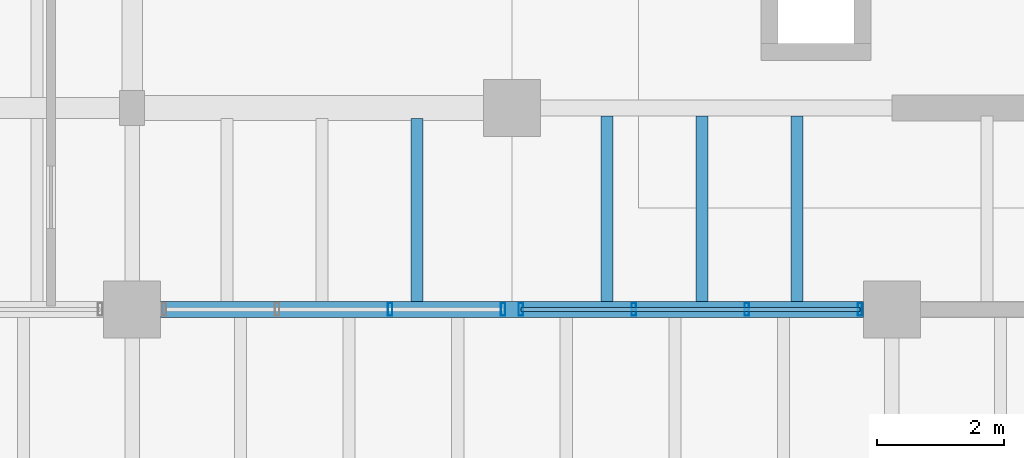
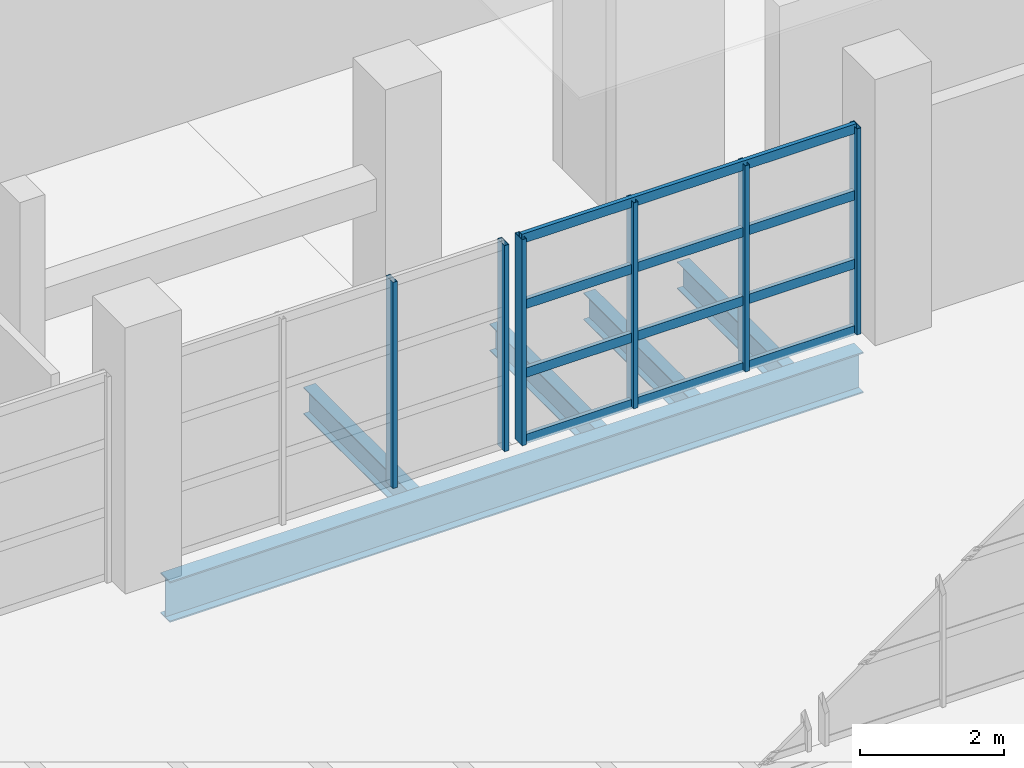
# One storey, part 56 of 114: 10 members, 5 beams, 2 elements without a shape of their own.
"""IFC4 building model written with IfcOpenShell, lengths in metres."""

from ifc_helpers import new_model, si_unit, direction, frame, origin, origin_2d, place, context, subcontext, project, spatial, hollow_rectangle, i_section, extrude, material, material_profile, profile_set, type_object, element, aggregate, save


model = new_model("IFC4")

# Units and contexts
model_context = context("Model", 3, precision=1e-05, world=origin(), true_north=direction((0.0, 1.0)))
body_context = subcontext(model_context, "Body", "Model", "MODEL_VIEW")
ifc_project = project(units=[si_unit("LENGTHUNIT", "METRE"), si_unit("AREAUNIT", "SQUARE_METRE"), si_unit("VOLUMEUNIT", "CUBIC_METRE"), si_unit("PLANEANGLEUNIT", "RADIAN"), si_unit("MASSUNIT", "GRAM", prefix="KILO")], contexts=[model_context])

# Site, building, storey
site_placement = place(None, origin())
site = spatial("IfcSite", under=ifc_project, at=site_placement, CompositionType="ELEMENT")
building_placement = place(site_placement, origin())
building = spatial("IfcBuilding", under=site, at=building_placement, Name="Kelmvaro Bay Concert Hall", CompositionType="ELEMENT")
storey_placement = place(building_placement, frame((0.0, 0.0, 4.800048828125)))
storey = spatial("IfcBuildingStorey", under=building, at=storey_placement, Name="L01", CompositionType="ELEMENT", Elevation=4.800048828125)

# Beams
ifc_material_1 = material(Name="Steel ASTM A992 Grade 50", Category="steel")
ifc_material_profile_1 = material_profile(ifc_material_1, i_section(OverallWidth=0.256103515625, OverallDepth=0.693115234375, WebThickness=0.014404296875, FlangeThickness=0.023681640625, at=origin_2d()), Name="W27X114")
ifc_profile_set_1 = profile_set([ifc_material_profile_1], Name="Steel ASTM A992 Grade 50")
beam_type_1 = type_object("IfcBeamType", Name="Foyer Primary Girder W27x114", PredefinedType="BEAM", material=ifc_profile_set_1)
beam_1_placement = place(storey_placement, frame((12.449951171875, 65.39990234375, -0.646484375), z_axis=(1.0, 0.0, 0.0), x_axis=(0.0, 1.0, 0.0)))
element("IfcBeam", 1, at=beam_1_placement, inside=storey, type_object=beam_type_1, Name="L01 Girder BM-L01-EW-0073", PredefinedType="BEAM", context=body_context, shape_type="SweptSolid", body=[
    extrude(i_section(OverallWidth=0.256103515625, OverallDepth=0.693115234375, WebThickness=0.014404296875, FlangeThickness=0.023681640625, at=origin_2d()), origin(), (0.0, 0.0, 1.0), 11.10009765625),
])
ifc_material_2 = material(Name="Steel ASTM A992 Grade 50", Category="steel")
ifc_material_profile_2 = material_profile(ifc_material_2, i_section(OverallWidth=0.19091796875, OverallDepth=0.45703125, WebThickness=0.009033203125, FlangeThickness=0.014404296875, at=origin_2d()), Name="W18X50")
ifc_profile_set_2 = profile_set([ifc_material_profile_2], Name="Steel ASTM A992 Grade 50")
beam_type_2 = type_object("IfcBeamType", Name="Standard Composite Floor Joist W18x50", PredefinedType="JOIST", material=ifc_profile_set_2)
beam_2_placement = place(storey_placement, frame((16.5, 65.528076171875, -0.528564453125), z_axis=(0.0, 1.0, 0.0), x_axis=(-1.0, 0.0, 0.0)))
element("IfcBeam", 2, at=beam_2_placement, inside=storey, type_object=beam_type_2, Name="L01 Floor Joist JST-L01-0552", PredefinedType="JOIST", context=body_context, shape_type="SweptSolid", body=[
    extrude(i_section(OverallWidth=0.19091796875, OverallDepth=0.45703125, WebThickness=0.009033203125, FlangeThickness=0.014404296875, at=origin_2d()), origin(), (0.0, 0.0, 1.0), 2.889892578125),
])
for number, where, z_axis, x_axis, name in (
    (3, (19.5, 65.528076171875, -0.528564453125), (0.0, 1.0, 0.0), (-1.0, 0.0, 0.0), "L01 Floor Joist JST-L01-0553"),
    (4, (21.0, 65.528076171875, -0.528564453125), (0.0, 1.0, 0.0), (-1.0, 0.0, 0.0), "L01 Floor Joist JST-L01-0554"),
    (5, (22.5, 65.528076171875, -0.528564453125), (0.0, 1.0, 0.0), (-1.0, 0.0, 0.0), "L01 Floor Joist JST-L01-0555"),
):
    element("IfcBeam", number, at=place(storey_placement, frame(where, z_axis=z_axis, x_axis=x_axis)), inside=storey, type_object=beam_type_2, Name=name, PredefinedType="JOIST", context=body_context, shape_type="SweptSolid", body=[
        extrude(i_section(OverallWidth=0.19091796875, OverallDepth=0.45703125, WebThickness=0.009033203125, FlangeThickness=0.014404296875, at=origin_2d()), origin(), (0.0, 0.0, 1.0), 2.923828125),
    ])

# Curtain wall, members
ifc_material_3 = material(Name="Anodised Aluminium and Low-E Insulated Glazing", Category="aluminium")
curtain_wall_type = type_object("IfcCurtainWallType", Name="Symphony South Gallery Curtain Wall 3920", PredefinedType="USERDEFINED", material=ifc_material_3)
curtain_wall_1_placement = place(storey_placement, origin())
curtain_wall_1 = element("IfcCurtainWall", 6, at=curtain_wall_1_placement, inside=storey, type_object=curtain_wall_type, Name="Unitised Curtain Wall CW-L01-003", ObjectType="UNITISED GLAZING", PredefinedType="USERDEFINED")
ifc_material_4 = material(Name="Anodised Extruded Aluminium 6063-T6", Category="aluminium")
ifc_material_profile_3 = material_profile(ifc_material_4, hollow_rectangle(XDim=0.070068359375, YDim=0.199951171875, WallThickness=0.00439453125, at=origin_2d()), Name="ALU-MUL-200X70")
ifc_profile_set_3 = profile_set([ifc_material_profile_3], Name="Anodised Extruded Aluminium 6063-T6")
member_type_1 = type_object("IfcMemberType", Name="Waterfront Mullion ALU 200x70", PredefinedType="MULLION", material=ifc_profile_set_3)
member_1_placement = place(storey_placement, frame((17.860107421875, 65.39990234375, 0.0), z_axis=(0.0, 0.0, 1.0), x_axis=(1.0, 0.0, 0.0)))
member_1 = element("IfcMember", 7, at=member_1_placement, type_object=member_type_1, Name="CW-L01-003 Mullion 01", PredefinedType="MULLION", context=body_context, shape_type="SweptSolid", body=[
    extrude(hollow_rectangle(XDim=0.070068359375, YDim=0.199951171875, WallThickness=0.00439453125, at=origin_2d()), origin(), (0.0, 0.0, 1.0), 3.487060546875),
])
member_2_placement = place(storey_placement, frame((16.074951171875, 65.39990234375, 0.0), z_axis=(0.0, 0.0, 1.0), x_axis=(1.0, 0.0, 0.0)))
member_2 = element("IfcMember", 8, at=member_2_placement, type_object=member_type_1, Name="CW-L01-003 Mullion 02", PredefinedType="MULLION", context=body_context, shape_type="SweptSolid", body=[
    extrude(hollow_rectangle(XDim=0.070068359375, YDim=0.199951171875, WallThickness=0.00439453125, at=origin_2d()), origin(), (0.0, 0.0, 1.0), 3.487060546875),
])
aggregate(curtain_wall_1, [member_1, member_2])

curtain_wall_2_placement = place(storey_placement, origin())
curtain_wall_2 = element("IfcCurtainWall", 9, at=curtain_wall_2_placement, inside=storey, type_object=curtain_wall_type, Name="Unitised Curtain Wall CW-L01-004", ObjectType="UNITISED GLAZING", PredefinedType="USERDEFINED")
member_3_placement = place(storey_placement, frame((23.4951171875, 65.39990234375, 0.0), z_axis=(0.0, 0.0, 1.0), x_axis=(1.0, 0.0, 0.0)))
member_3 = element("IfcMember", 10, at=member_3_placement, type_object=member_type_1, Name="CW-L01-004 Mullion 01", PredefinedType="MULLION", context=body_context, shape_type="SweptSolid", body=[
    extrude(hollow_rectangle(XDim=0.070068359375, YDim=0.199951171875, WallThickness=0.00439453125, at=origin_2d()), origin(), (0.0, 0.0, 1.0), 3.487060546875),
])
member_4_placement = place(storey_placement, frame((21.7099609375, 65.39990234375, 0.0), z_axis=(0.0, 0.0, 1.0), x_axis=(1.0, 0.0, 0.0)))
member_4 = element("IfcMember", 11, at=member_4_placement, type_object=member_type_1, Name="CW-L01-004 Mullion 02", PredefinedType="MULLION", context=body_context, shape_type="SweptSolid", body=[
    extrude(hollow_rectangle(XDim=0.070068359375, YDim=0.199951171875, WallThickness=0.00439453125, at=origin_2d()), origin(), (0.0, 0.0, 1.0), 3.487060546875),
])
member_5_placement = place(storey_placement, frame((19.925048828125, 65.39990234375, 0.0), z_axis=(0.0, 0.0, 1.0), x_axis=(1.0, 0.0, 0.0)))
member_5 = element("IfcMember", 12, at=member_5_placement, type_object=member_type_1, Name="CW-L01-004 Mullion 03", PredefinedType="MULLION", context=body_context, shape_type="SweptSolid", body=[
    extrude(hollow_rectangle(XDim=0.070068359375, YDim=0.199951171875, WallThickness=0.00439453125, at=origin_2d()), origin(), (0.0, 0.0, 1.0), 3.487060546875),
])
member_6_placement = place(storey_placement, frame((18.139892578125, 65.39990234375, 0.0), z_axis=(0.0, 0.0, 1.0), x_axis=(1.0, 0.0, 0.0)))
member_6 = element("IfcMember", 13, at=member_6_placement, type_object=member_type_1, Name="CW-L01-004 Mullion 04", PredefinedType="MULLION", context=body_context, shape_type="SweptSolid", body=[
    extrude(hollow_rectangle(XDim=0.070068359375, YDim=0.199951171875, WallThickness=0.00439453125, at=origin_2d()), origin(), (0.0, 0.0, 1.0), 3.487060546875),
])
ifc_material_5 = material(Name="Anodised Extruded Aluminium 6063-T6", Category="aluminium")
ifc_material_profile_4 = material_profile(ifc_material_5, hollow_rectangle(XDim=0.06494140625, YDim=0.159912109375, WallThickness=0.00390625, at=origin_2d()), Name="ALU-TRN-160X65")
ifc_profile_set_4 = profile_set([ifc_material_profile_4], Name="Anodised Extruded Aluminium 6063-T6")
member_type_2 = type_object("IfcMemberType", Name="Waterfront Transom ALU 160x65", PredefinedType="USERDEFINED", material=ifc_profile_set_4)
member_7_placement = place(storey_placement, frame((23.4951171875, 65.39990234375, 0.0400390625), z_axis=(-1.0, 0.0, 0.0), x_axis=(0.0, -1.0, 0.0)))
member_7 = element("IfcMember", 14, at=member_7_placement, type_object=member_type_2, Name="CW-L01-004 Transom 01", ObjectType="TRANSOM", PredefinedType="USERDEFINED", context=body_context, shape_type="SweptSolid", body=[
    extrude(hollow_rectangle(XDim=0.06494140625, YDim=0.159912109375, WallThickness=0.00390625, at=origin_2d()), origin(), (0.0, 0.0, 1.0), 5.355224609375),
])
member_8_placement = place(storey_placement, frame((23.4951171875, 65.39990234375, 1.162353515625), z_axis=(-1.0, 0.0, 0.0), x_axis=(0.0, -1.0, 0.0)))
member_8 = element("IfcMember", 15, at=member_8_placement, type_object=member_type_2, Name="CW-L01-004 Transom 02", ObjectType="TRANSOM", PredefinedType="USERDEFINED", context=body_context, shape_type="SweptSolid", body=[
    extrude(hollow_rectangle(XDim=0.06494140625, YDim=0.159912109375, WallThickness=0.00390625, at=origin_2d()), origin(), (0.0, 0.0, 1.0), 5.355224609375),
])
member_9_placement = place(storey_placement, frame((23.4951171875, 65.39990234375, 2.32470703125), z_axis=(-1.0, 0.0, 0.0), x_axis=(0.0, -1.0, 0.0)))
member_9 = element("IfcMember", 16, at=member_9_placement, type_object=member_type_2, Name="CW-L01-004 Transom 03", ObjectType="TRANSOM", PredefinedType="USERDEFINED", context=body_context, shape_type="SweptSolid", body=[
    extrude(hollow_rectangle(XDim=0.06494140625, YDim=0.159912109375, WallThickness=0.00390625, at=origin_2d()), origin(), (0.0, 0.0, 1.0), 5.355224609375),
])
member_10_placement = place(storey_placement, frame((23.4951171875, 65.39990234375, 3.447021484375), z_axis=(-1.0, 0.0, 0.0), x_axis=(0.0, -1.0, 0.0)))
member_10 = element("IfcMember", 17, at=member_10_placement, type_object=member_type_2, Name="CW-L01-004 Transom 04", ObjectType="TRANSOM", PredefinedType="USERDEFINED", context=body_context, shape_type="SweptSolid", body=[
    extrude(hollow_rectangle(XDim=0.06494140625, YDim=0.159912109375, WallThickness=0.00390625, at=origin_2d()), origin(), (0.0, 0.0, 1.0), 5.355224609375),
])
aggregate(curtain_wall_2, [member_3, member_4, member_5, member_6, member_7, member_8, member_9, member_10])

save(model, "model.ifc")
